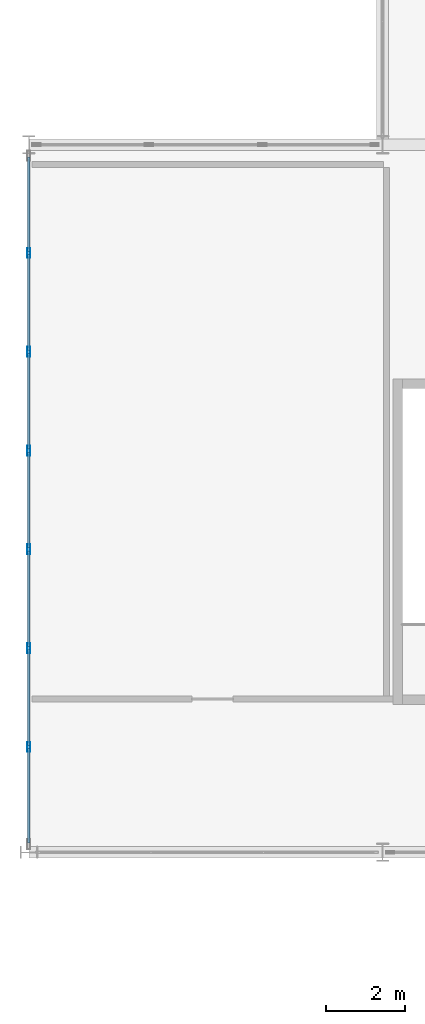
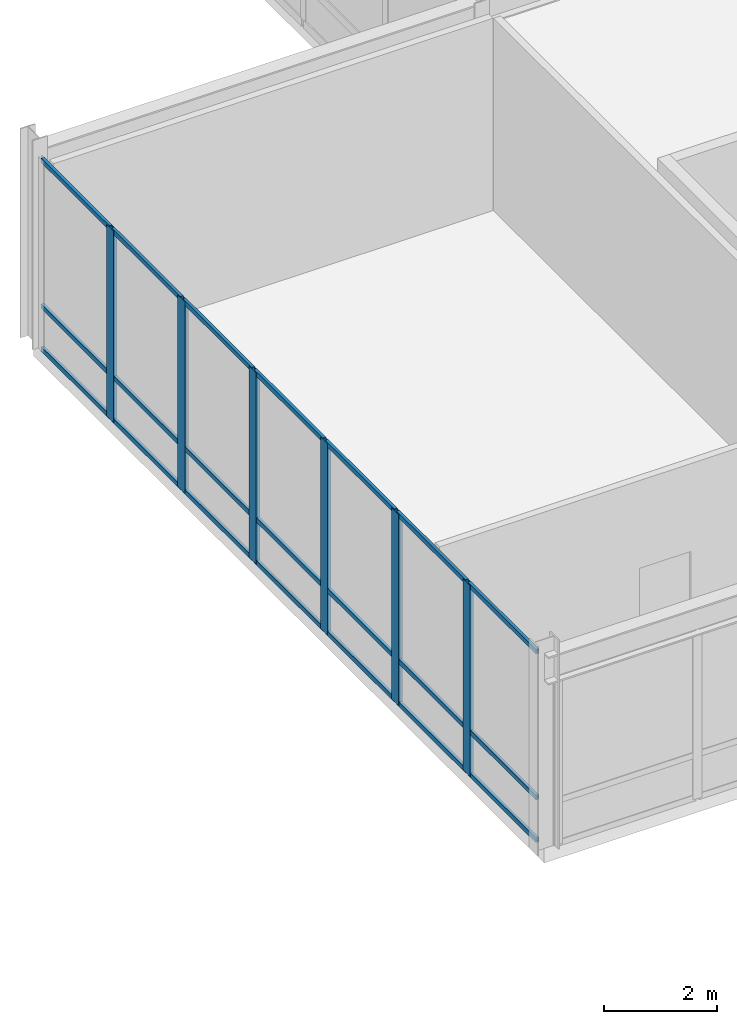
# One storey, part 55 of 115: 27 members, 1 element without a shape of its own.
"""IFC4 building model written with IfcOpenShell, lengths in metres."""

import ifcopenshell
import ifcopenshell.guid

model = None  # the IFC model being written
_history = None  # IfcOwnerHistory: only IFC2X3 demands one
_inside = {}  # id of a spatial element -> (the spatial element, [elements in it])
_under = {}  # id of a project, library or spatial element -> (it, [spatial elements below it])
_declared = {}  # id of a project -> (the project, [libraries it declares])
_typed = {}  # id of a type object -> (the type object, [elements of that type])
_made_of = {}  # id of a material, layer set ... -> (it, [elements and type objects made of it])


def new_model(schema):
    """Start an empty IFC model of exactly this schema.

    Asked for "IFC4X3", IfcOpenShell would pick the latest addendum, in which some entities
    have other attributes; the version numbers below select the first issue.
    IFC2X3 requires an IfcOwnerHistory on every rooted entity: one is made here for all.
    """
    global model, _history
    if schema == "IFC4X3":
        model = ifcopenshell.file(schema_version=(4, 3, 0, 0))
    else:
        model = ifcopenshell.file(schema=schema)
    _inside.clear()
    _under.clear()
    _declared.clear()
    _typed.clear()
    _made_of.clear()
    _history = None
    if model.schema == "IFC2X3":
        org = make("IfcOrganization", Name="unknown")
        user = make(
            "IfcPersonAndOrganization",
            ThePerson=make("IfcPerson", FamilyName="unknown"),
            TheOrganization=org,
        )
        app = make(
            "IfcApplication",
            ApplicationDeveloper=org,
            Version="unknown",
            ApplicationFullName="unknown",
            ApplicationIdentifier="unknown",
        )
        _history = make(
            "IfcOwnerHistory",
            OwningUser=user,
            OwningApplication=app,
            ChangeAction="ADDED",
            CreationDate=0,
        )
    return model


def make(cls, **values):
    """One entity of the class cls with the attributes given. An attribute that is None is left unset."""
    return model.create_entity(
        cls, **{name: value for name, value in values.items() if value is not None}
    )


def rooted(cls, **values):
    """An entity with a GlobalId (a new one), such as an element, a storey or a relation."""
    return make(cls, GlobalId=ifcopenshell.guid.new(), OwnerHistory=_history, **values)


def si_unit(unit_type, name, prefix=None):
    """IfcSIUnit, for example si_unit("LENGTHUNIT", "METRE", prefix="MILLI")."""
    return make("IfcSIUnit", UnitType=unit_type, Prefix=prefix, Name=name)


def assignment(units):
    """IfcUnitAssignment: the units of a project."""
    return None if units is None else make("IfcUnitAssignment", Units=units)


def point(xyz):
    """IfcCartesianPoint."""
    return None if xyz is None else make("IfcCartesianPoint", Coordinates=xyz)


def direction(xyz):
    """IfcDirection."""
    return None if xyz is None else make("IfcDirection", DirectionRatios=xyz)


def frame(location, z_axis=None, x_axis=None):
    """IfcAxis2Placement3D, a coordinate frame: its origin and axes. An axis left out is left unset."""
    return make(
        "IfcAxis2Placement3D",
        Location=point(location),
        Axis=direction(z_axis),
        RefDirection=direction(x_axis),
    )


def frame_2d(location, x_axis=None):
    """IfcAxis2Placement2D, a coordinate frame in the plane: its origin and x axis."""
    return make(
        "IfcAxis2Placement2D", Location=point(location), RefDirection=direction(x_axis)
    )


def origin():
    """The frame at (0, 0, 0) with its axes left unset."""
    return frame((0.0, 0.0, 0.0))


def origin_2d():
    """The frame at (0, 0) in the plane with its x axis left unset."""
    return frame_2d((0.0, 0.0))


def place(relative_to, where):
    """IfcLocalPlacement: puts the frame where relative to a parent placement (None: the world)."""
    return make(
        "IfcLocalPlacement", PlacementRelTo=relative_to, RelativePlacement=where
    )


def context(
    kind, dimensions, precision=None, world=None, true_north=None, identifier=None
):
    """IfcGeometricRepresentationContext, for example the 3D "Model" context."""
    return make(
        "IfcGeometricRepresentationContext",
        ContextIdentifier=identifier,
        ContextType=kind,
        CoordinateSpaceDimension=dimensions,
        Precision=precision,
        WorldCoordinateSystem=world,
        TrueNorth=true_north,
    )


def subcontext(parent, identifier, kind, view, scale=None):
    """IfcGeometricRepresentationSubContext, for example "Body" below "Model"."""
    return make(
        "IfcGeometricRepresentationSubContext",
        ContextIdentifier=identifier,
        ContextType=kind,
        ParentContext=parent,
        TargetScale=scale,
        TargetView=view,
    )


def project(units=None, contexts=None):
    """IfcProject with its units and contexts."""
    return rooted(
        "IfcProject",
        Name="project",
        RepresentationContexts=contexts,
        UnitsInContext=assignment(units),
    )


def spatial(cls, under=None, at=None, **own):
    """A site, building, storey or space (cls), placed at a placement, below another one or the project."""
    s = rooted(cls, ObjectPlacement=at, **own)
    if under is not None:
        _under.setdefault(under.id(), (under, []))[1].append(s)
    return s


def profile(cls, at=None, kind="AREA", **sizes):
    """A parametric profile (cls). Its sizes go by their IFC names, for example OverallWidth=200.0."""
    return make(cls, ProfileType=kind, Position=at, **sizes)


def hollow_rectangle(**sizes):
    """IfcRectangleHollowProfileDef."""
    return profile("IfcRectangleHollowProfileDef", **sizes)


def extrude(swept, where, along, depth):
    """IfcExtrudedAreaSolid: the profile swept, set in the frame where, extruded along a direction by depth."""
    return make(
        "IfcExtrudedAreaSolid",
        SweptArea=swept,
        Position=where,
        ExtrudedDirection=direction(along),
        Depth=depth,
    )


def shape(context_of_items, identifier, shape_type, items):
    """IfcShapeRepresentation: the items that make up one representation, for example the "Body"."""
    return make(
        "IfcShapeRepresentation",
        ContextOfItems=context_of_items,
        RepresentationIdentifier=identifier,
        RepresentationType=shape_type,
        Items=items,
    )


def material(Name=None, Category=None):
    """IfcMaterial."""
    return make("IfcMaterial", Name=Name, Category=Category)


def layer(
    of_material, thickness, ventilated=None, Name=None, Category=None, Priority=None
):
    """IfcMaterialLayer: one layer of a wall or slab, of a material (None: an air gap)."""
    return make(
        "IfcMaterialLayer",
        Material=of_material,
        LayerThickness=thickness,
        IsVentilated=ventilated,
        Name=Name,
        Category=Category,
        Priority=Priority,
    )


def layer_set(layers, Name=None):
    """IfcMaterialLayerSet."""
    return make("IfcMaterialLayerSet", MaterialLayers=layers, LayerSetName=Name)


def material_profile(
    of_material, cross_section, Name=None, Category=None, Priority=None
):
    """IfcMaterialProfile: a cross section and its material."""
    return make(
        "IfcMaterialProfile",
        Name=Name,
        Material=of_material,
        Profile=cross_section,
        Priority=Priority,
        Category=Category,
    )


def profile_set(profiles, Name=None, composite=None):
    """IfcMaterialProfileSet."""
    return make(
        "IfcMaterialProfileSet",
        Name=Name,
        MaterialProfiles=profiles,
        CompositeProfile=composite,
    )


def made_of(thing, what):
    """Note that an element or type object is made of a material, layer set ...; save() writes the relation."""
    if what is not None:
        _made_of.setdefault(what.id(), (what, []))[1].append(thing)
    return thing


def type_object(cls, material=None, **own):
    """A type object (cls), such as IfcWallType, which elements share."""
    return made_of(rooted(cls, **own), material)


def element(
    cls,
    number,
    at=None,
    inside=None,
    cuts=None,
    type_object=None,
    material=None,
    context=None,
    identifier="Body",
    shape_type=None,
    held_by="IfcProductDefinitionShape",
    body=None,
    shapes=None,
    **own,
):
    """One element of the class cls, such as IfcWall. Its Tag is "e" and its number.

    at: its placement. inside: the storey or other place that contains it. cuts: it is an
    opening in that element (IfcRelVoidsElement). A single representation is given by context,
    identifier, shape_type and body (its items); several are given by shapes. held_by: the class
    of the entity that holds the representations. save() writes the other relations.
    """
    e = rooted(cls, Tag="e%d" % number, ObjectPlacement=at, **own)
    if body is not None:
        shapes = [shape(context, identifier, shape_type, body)]
    if shapes is not None:
        e.Representation = make(held_by, Representations=shapes)
    if inside is not None:
        _inside.setdefault(inside.id(), (inside, []))[1].append(e)
    if cuts is not None:
        rooted(
            "IfcRelVoidsElement", RelatingBuildingElement=cuts, RelatedOpeningElement=e
        )
    if type_object is not None:
        _typed.setdefault(type_object.id(), (type_object, []))[1].append(e)
    return made_of(e, material)


def aggregate(whole, parts):
    """IfcRelAggregates: a whole, such as a stair, and the parts it consists of."""
    return rooted("IfcRelAggregates", RelatingObject=whole, RelatedObjects=parts)


def save(model, path):
    """Write the relations noted so far, then the file.

    IfcRelAggregates (storeys below a building ...), IfcRelContainedInSpatialStructure (elements
    in a storey), IfcRelDefinesByType, IfcRelAssociatesMaterial and IfcRelDeclares: one each for
    every whole, place, type object, material and project.
    """
    for whole, parts in _under.values():
        aggregate(whole, parts)
    for where, things in _inside.values():
        rooted(
            "IfcRelContainedInSpatialStructure",
            RelatedElements=things,
            RelatingStructure=where,
        )
    for kind, things in _typed.values():
        rooted("IfcRelDefinesByType", RelatedObjects=things, RelatingType=kind)
    for what, things in _made_of.values():
        rooted("IfcRelAssociatesMaterial", RelatedObjects=things, RelatingMaterial=what)
    for by, libraries in _declared.values():
        rooted("IfcRelDeclares", RelatingContext=by, RelatedDefinitions=libraries)
    model.write(path)


model = new_model("IFC4")

# Units and contexts
model_context = context("Model", 3, precision=1e-05, world=origin(), true_north=direction((0.0, 1.0)))
body_context = subcontext(model_context, "Body", "Model", "MODEL_VIEW")
ifc_project = project(units=[si_unit("LENGTHUNIT", "METRE"), si_unit("AREAUNIT", "SQUARE_METRE"), si_unit("VOLUMEUNIT", "CUBIC_METRE"), si_unit("PLANEANGLEUNIT", "RADIAN"), si_unit("MASSUNIT", "GRAM", prefix="KILO")], contexts=[model_context])

# Site, building, storey
site_placement = place(None, origin())
site = spatial("IfcSite", under=ifc_project, at=site_placement, CompositionType="ELEMENT")
building_placement = place(site_placement, origin())
building = spatial("IfcBuilding", under=site, at=building_placement, Name="Montelvaro Courts of Justice", CompositionType="ELEMENT")
storey_placement = place(building_placement, frame((0.0, 0.0, 9.89990234375)))
storey = spatial("IfcBuildingStorey", under=building, at=storey_placement, Name="L02", CompositionType="ELEMENT", Elevation=9.89990234375)

# Curtain wall, members
ifc_material = material(Name="Anodised aluminium EN AW-6063", Category="aluminium")
ifc_layer = layer(ifc_material, 0.159912109375)
ifc_layer_set = layer_set([ifc_layer], Name="Anodised aluminium EN AW-6063")
curtain_wall_type = type_object("IfcCurtainWallType", Name="CurtainWall_22_1761x418", PredefinedType="USERDEFINED", material=ifc_layer_set)
curtain_wall_placement = place(storey_placement, origin())
curtain_wall = element("IfcCurtainWall", 1, at=curtain_wall_placement, inside=storey, type_object=curtain_wall_type, Name="Curtain Wall CW-22 (L02)", ObjectType="CURTAIN WALL", PredefinedType="USERDEFINED")
ifc_material_profile_1 = material_profile(ifc_material, hollow_rectangle(XDim=0.074951171875, YDim=0.25, WallThickness=0.005615234375, at=origin_2d()), Name="ALU-M 75x250")
ifc_profile_set_1 = profile_set([ifc_material_profile_1], Name="Anodised aluminium EN AW-6063")
member_type_1 = type_object("IfcMemberType", Name="CurtainWall_Mullion_75x250", PredefinedType="MULLION", material=ifc_profile_set_1)
member_1_placement = place(storey_placement, frame((18.0, 93.246337890625, 0.0), z_axis=(0.0, 0.0, 1.0), x_axis=(1.0, 0.0, 0.0)))
member_1 = element("IfcMember", 2, at=member_1_placement, type_object=member_type_1, Name="CW-22 mullion 2", PredefinedType="MULLION", context=body_context, shape_type="SweptSolid", body=[
    extrude(hollow_rectangle(XDim=0.074951171875, YDim=0.25, WallThickness=0.005615234375, at=origin_2d()), origin(), (0.0, 0.0, 1.0), 4.1201171875),
])
member_2_placement = place(storey_placement, frame((18.0, 90.73291015625, 0.0), z_axis=(0.0, 0.0, 1.0), x_axis=(1.0, 0.0, 0.0)))
member_2 = element("IfcMember", 3, at=member_2_placement, type_object=member_type_1, Name="CW-22 mullion 3", PredefinedType="MULLION", context=body_context, shape_type="SweptSolid", body=[
    extrude(hollow_rectangle(XDim=0.074951171875, YDim=0.25, WallThickness=0.005615234375, at=origin_2d()), origin(), (0.0, 0.0, 1.0), 4.1201171875),
])
member_3_placement = place(storey_placement, frame((18.0, 88.21923828125, 0.0), z_axis=(0.0, 0.0, 1.0), x_axis=(1.0, 0.0, 0.0)))
member_3 = element("IfcMember", 4, at=member_3_placement, type_object=member_type_1, Name="CW-22 mullion 4", PredefinedType="MULLION", context=body_context, shape_type="SweptSolid", body=[
    extrude(hollow_rectangle(XDim=0.074951171875, YDim=0.25, WallThickness=0.005615234375, at=origin_2d()), origin(), (0.0, 0.0, 1.0), 4.1201171875),
])
member_4_placement = place(storey_placement, frame((18.0, 85.705810546875, 0.0), z_axis=(0.0, 0.0, 1.0), x_axis=(1.0, 0.0, 0.0)))
member_4 = element("IfcMember", 5, at=member_4_placement, type_object=member_type_1, Name="CW-22 mullion 5", PredefinedType="MULLION", context=body_context, shape_type="SweptSolid", body=[
    extrude(hollow_rectangle(XDim=0.074951171875, YDim=0.25, WallThickness=0.005615234375, at=origin_2d()), origin(), (0.0, 0.0, 1.0), 4.1201171875),
])
member_5_placement = place(storey_placement, frame((18.0, 83.192138671875, 0.0), z_axis=(0.0, 0.0, 1.0), x_axis=(1.0, 0.0, 0.0)))
member_5 = element("IfcMember", 6, at=member_5_placement, type_object=member_type_1, Name="CW-22 mullion 6", PredefinedType="MULLION", context=body_context, shape_type="SweptSolid", body=[
    extrude(hollow_rectangle(XDim=0.074951171875, YDim=0.25, WallThickness=0.005615234375, at=origin_2d()), origin(), (0.0, 0.0, 1.0), 4.1201171875),
])
member_6_placement = place(storey_placement, frame((18.0, 80.678466796875, 0.0), z_axis=(0.0, 0.0, 1.0), x_axis=(1.0, 0.0, 0.0)))
member_6 = element("IfcMember", 7, at=member_6_placement, type_object=member_type_1, Name="CW-22 mullion 7", PredefinedType="MULLION", context=body_context, shape_type="SweptSolid", body=[
    extrude(hollow_rectangle(XDim=0.074951171875, YDim=0.25, WallThickness=0.005615234375, at=origin_2d()), origin(), (0.0, 0.0, 1.0), 4.1201171875),
])
ifc_material_profile_2 = material_profile(ifc_material, hollow_rectangle(XDim=0.06005859375, YDim=0.10009765625, WallThickness=0.00341796875, at=origin_2d()), Name="ALU-T 60x100")
ifc_profile_set_2 = profile_set([ifc_material_profile_2], Name="Anodised aluminium EN AW-6063")
member_type_2 = type_object("IfcMemberType", Name="CurtainWall_Transom_60x100", PredefinedType="USERDEFINED", material=ifc_profile_set_2)
member_7_placement = place(storey_placement, frame((18.0, 95.68505859375, 0.030029296875), z_axis=(0.0, -1.0, 0.0), x_axis=(1.0, 0.0, 0.0)))
member_7 = element("IfcMember", 8, at=member_7_placement, type_object=member_type_2, Name="CW-22 transom 1.1", ObjectType="TRANSOM", PredefinedType="USERDEFINED", context=body_context, shape_type="SweptSolid", body=[
    extrude(hollow_rectangle(XDim=0.06005859375, YDim=0.10009765625, WallThickness=0.00341796875, at=origin_2d()), origin(), (0.0, 0.0, 1.0), 2.401123046875),
])
member_8_placement = place(storey_placement, frame((18.0, 95.68505859375, 0.9501953125), z_axis=(0.0, -1.0, 0.0), x_axis=(1.0, 0.0, 0.0)))
member_8 = element("IfcMember", 9, at=member_8_placement, type_object=member_type_2, Name="CW-22 transom 1.2", ObjectType="TRANSOM", PredefinedType="USERDEFINED", context=body_context, shape_type="SweptSolid", body=[
    extrude(hollow_rectangle(XDim=0.06005859375, YDim=0.10009765625, WallThickness=0.00341796875, at=origin_2d()), origin(), (0.0, 0.0, 1.0), 2.401123046875),
])
member_9_placement = place(storey_placement, frame((18.0, 95.68505859375, 4.090087890625), z_axis=(0.0, -1.0, 0.0), x_axis=(1.0, 0.0, 0.0)))
member_9 = element("IfcMember", 10, at=member_9_placement, type_object=member_type_2, Name="CW-22 transom 1.3", ObjectType="TRANSOM", PredefinedType="USERDEFINED", context=body_context, shape_type="SweptSolid", body=[
    extrude(hollow_rectangle(XDim=0.06005859375, YDim=0.10009765625, WallThickness=0.00341796875, at=origin_2d()), origin(), (0.0, 0.0, 1.0), 2.401123046875),
])
member_10_placement = place(storey_placement, frame((18.0, 93.208984375, 0.030029296875), z_axis=(0.0, -1.0, 0.0), x_axis=(1.0, 0.0, 0.0)))
member_10 = element("IfcMember", 11, at=member_10_placement, type_object=member_type_2, Name="CW-22 transom 2.1", ObjectType="TRANSOM", PredefinedType="USERDEFINED", context=body_context, shape_type="SweptSolid", body=[
    extrude(hollow_rectangle(XDim=0.06005859375, YDim=0.10009765625, WallThickness=0.00341796875, at=origin_2d()), origin(), (0.0, 0.0, 1.0), 2.438720703125),
])
member_11_placement = place(storey_placement, frame((18.0, 93.208984375, 0.9501953125), z_axis=(0.0, -1.0, 0.0), x_axis=(1.0, 0.0, 0.0)))
member_11 = element("IfcMember", 12, at=member_11_placement, type_object=member_type_2, Name="CW-22 transom 2.2", ObjectType="TRANSOM", PredefinedType="USERDEFINED", context=body_context, shape_type="SweptSolid", body=[
    extrude(hollow_rectangle(XDim=0.06005859375, YDim=0.10009765625, WallThickness=0.00341796875, at=origin_2d()), origin(), (0.0, 0.0, 1.0), 2.438720703125),
])
member_12_placement = place(storey_placement, frame((18.0, 93.208984375, 4.090087890625), z_axis=(0.0, -1.0, 0.0), x_axis=(1.0, 0.0, 0.0)))
member_12 = element("IfcMember", 13, at=member_12_placement, type_object=member_type_2, Name="CW-22 transom 2.3", ObjectType="TRANSOM", PredefinedType="USERDEFINED", context=body_context, shape_type="SweptSolid", body=[
    extrude(hollow_rectangle(XDim=0.06005859375, YDim=0.10009765625, WallThickness=0.00341796875, at=origin_2d()), origin(), (0.0, 0.0, 1.0), 2.438720703125),
])
member_13_placement = place(storey_placement, frame((18.0, 90.6953125, 0.030029296875), z_axis=(0.0, -1.0, 0.0), x_axis=(1.0, 0.0, 0.0)))
member_13 = element("IfcMember", 14, at=member_13_placement, type_object=member_type_2, Name="CW-22 transom 3.1", ObjectType="TRANSOM", PredefinedType="USERDEFINED", context=body_context, shape_type="SweptSolid", body=[
    extrude(hollow_rectangle(XDim=0.06005859375, YDim=0.10009765625, WallThickness=0.00341796875, at=origin_2d()), origin(), (0.0, 0.0, 1.0), 2.4384765625),
])
member_14_placement = place(storey_placement, frame((18.0, 90.6953125, 0.9501953125), z_axis=(0.0, -1.0, 0.0), x_axis=(1.0, 0.0, 0.0)))
member_14 = element("IfcMember", 15, at=member_14_placement, type_object=member_type_2, Name="CW-22 transom 3.2", ObjectType="TRANSOM", PredefinedType="USERDEFINED", context=body_context, shape_type="SweptSolid", body=[
    extrude(hollow_rectangle(XDim=0.06005859375, YDim=0.10009765625, WallThickness=0.00341796875, at=origin_2d()), origin(), (0.0, 0.0, 1.0), 2.4384765625),
])
member_15_placement = place(storey_placement, frame((18.0, 90.6953125, 4.090087890625), z_axis=(0.0, -1.0, 0.0), x_axis=(1.0, 0.0, 0.0)))
member_15 = element("IfcMember", 16, at=member_15_placement, type_object=member_type_2, Name="CW-22 transom 3.3", ObjectType="TRANSOM", PredefinedType="USERDEFINED", context=body_context, shape_type="SweptSolid", body=[
    extrude(hollow_rectangle(XDim=0.06005859375, YDim=0.10009765625, WallThickness=0.00341796875, at=origin_2d()), origin(), (0.0, 0.0, 1.0), 2.4384765625),
])
member_16_placement = place(storey_placement, frame((18.0, 88.181884765625, 0.030029296875), z_axis=(0.0, -1.0, 0.0), x_axis=(1.0, 0.0, 0.0)))
member_16 = element("IfcMember", 17, at=member_16_placement, type_object=member_type_2, Name="CW-22 transom 4.1", ObjectType="TRANSOM", PredefinedType="USERDEFINED", context=body_context, shape_type="SweptSolid", body=[
    extrude(hollow_rectangle(XDim=0.06005859375, YDim=0.10009765625, WallThickness=0.00341796875, at=origin_2d()), origin(), (0.0, 0.0, 1.0), 2.438720703125),
])
member_17_placement = place(storey_placement, frame((18.0, 88.181884765625, 0.9501953125), z_axis=(0.0, -1.0, 0.0), x_axis=(1.0, 0.0, 0.0)))
member_17 = element("IfcMember", 18, at=member_17_placement, type_object=member_type_2, Name="CW-22 transom 4.2", ObjectType="TRANSOM", PredefinedType="USERDEFINED", context=body_context, shape_type="SweptSolid", body=[
    extrude(hollow_rectangle(XDim=0.06005859375, YDim=0.10009765625, WallThickness=0.00341796875, at=origin_2d()), origin(), (0.0, 0.0, 1.0), 2.438720703125),
])
member_18_placement = place(storey_placement, frame((18.0, 88.181884765625, 4.090087890625), z_axis=(0.0, -1.0, 0.0), x_axis=(1.0, 0.0, 0.0)))
member_18 = element("IfcMember", 19, at=member_18_placement, type_object=member_type_2, Name="CW-22 transom 4.3", ObjectType="TRANSOM", PredefinedType="USERDEFINED", context=body_context, shape_type="SweptSolid", body=[
    extrude(hollow_rectangle(XDim=0.06005859375, YDim=0.10009765625, WallThickness=0.00341796875, at=origin_2d()), origin(), (0.0, 0.0, 1.0), 2.438720703125),
])
member_19_placement = place(storey_placement, frame((18.0, 85.668212890625, 0.030029296875), z_axis=(0.0, -1.0, 0.0), x_axis=(1.0, 0.0, 0.0)))
member_19 = element("IfcMember", 20, at=member_19_placement, type_object=member_type_2, Name="CW-22 transom 5.1", ObjectType="TRANSOM", PredefinedType="USERDEFINED", context=body_context, shape_type="SweptSolid", body=[
    extrude(hollow_rectangle(XDim=0.06005859375, YDim=0.10009765625, WallThickness=0.00341796875, at=origin_2d()), origin(), (0.0, 0.0, 1.0), 2.4384765625),
])
member_20_placement = place(storey_placement, frame((18.0, 85.668212890625, 0.9501953125), z_axis=(0.0, -1.0, 0.0), x_axis=(1.0, 0.0, 0.0)))
member_20 = element("IfcMember", 21, at=member_20_placement, type_object=member_type_2, Name="CW-22 transom 5.2", ObjectType="TRANSOM", PredefinedType="USERDEFINED", context=body_context, shape_type="SweptSolid", body=[
    extrude(hollow_rectangle(XDim=0.06005859375, YDim=0.10009765625, WallThickness=0.00341796875, at=origin_2d()), origin(), (0.0, 0.0, 1.0), 2.4384765625),
])
member_21_placement = place(storey_placement, frame((18.0, 85.668212890625, 4.090087890625), z_axis=(0.0, -1.0, 0.0), x_axis=(1.0, 0.0, 0.0)))
member_21 = element("IfcMember", 22, at=member_21_placement, type_object=member_type_2, Name="CW-22 transom 5.3", ObjectType="TRANSOM", PredefinedType="USERDEFINED", context=body_context, shape_type="SweptSolid", body=[
    extrude(hollow_rectangle(XDim=0.06005859375, YDim=0.10009765625, WallThickness=0.00341796875, at=origin_2d()), origin(), (0.0, 0.0, 1.0), 2.4384765625),
])
member_22_placement = place(storey_placement, frame((18.0, 83.154541015625, 0.030029296875), z_axis=(0.0, -1.0, 0.0), x_axis=(1.0, 0.0, 0.0)))
member_22 = element("IfcMember", 23, at=member_22_placement, type_object=member_type_2, Name="CW-22 transom 6.1", ObjectType="TRANSOM", PredefinedType="USERDEFINED", context=body_context, shape_type="SweptSolid", body=[
    extrude(hollow_rectangle(XDim=0.06005859375, YDim=0.10009765625, WallThickness=0.00341796875, at=origin_2d()), origin(), (0.0, 0.0, 1.0), 2.4384765625),
])
member_23_placement = place(storey_placement, frame((18.0, 83.154541015625, 0.9501953125), z_axis=(0.0, -1.0, 0.0), x_axis=(1.0, 0.0, 0.0)))
member_23 = element("IfcMember", 24, at=member_23_placement, type_object=member_type_2, Name="CW-22 transom 6.2", ObjectType="TRANSOM", PredefinedType="USERDEFINED", context=body_context, shape_type="SweptSolid", body=[
    extrude(hollow_rectangle(XDim=0.06005859375, YDim=0.10009765625, WallThickness=0.00341796875, at=origin_2d()), origin(), (0.0, 0.0, 1.0), 2.4384765625),
])
member_24_placement = place(storey_placement, frame((18.0, 83.154541015625, 4.090087890625), z_axis=(0.0, -1.0, 0.0), x_axis=(1.0, 0.0, 0.0)))
member_24 = element("IfcMember", 25, at=member_24_placement, type_object=member_type_2, Name="CW-22 transom 6.3", ObjectType="TRANSOM", PredefinedType="USERDEFINED", context=body_context, shape_type="SweptSolid", body=[
    extrude(hollow_rectangle(XDim=0.06005859375, YDim=0.10009765625, WallThickness=0.00341796875, at=origin_2d()), origin(), (0.0, 0.0, 1.0), 2.4384765625),
])
member_25_placement = place(storey_placement, frame((18.0, 80.64111328125, 0.030029296875), z_axis=(0.0, -1.0, 0.0), x_axis=(1.0, 0.0, 0.0)))
member_25 = element("IfcMember", 26, at=member_25_placement, type_object=member_type_2, Name="CW-22 transom 7.1", ObjectType="TRANSOM", PredefinedType="USERDEFINED", context=body_context, shape_type="SweptSolid", body=[
    extrude(hollow_rectangle(XDim=0.06005859375, YDim=0.10009765625, WallThickness=0.00341796875, at=origin_2d()), origin(), (0.0, 0.0, 1.0), 2.401123046875),
])
member_26_placement = place(storey_placement, frame((18.0, 80.64111328125, 0.9501953125), z_axis=(0.0, -1.0, 0.0), x_axis=(1.0, 0.0, 0.0)))
member_26 = element("IfcMember", 27, at=member_26_placement, type_object=member_type_2, Name="CW-22 transom 7.2", ObjectType="TRANSOM", PredefinedType="USERDEFINED", context=body_context, shape_type="SweptSolid", body=[
    extrude(hollow_rectangle(XDim=0.06005859375, YDim=0.10009765625, WallThickness=0.00341796875, at=origin_2d()), origin(), (0.0, 0.0, 1.0), 2.401123046875),
])
member_27_placement = place(storey_placement, frame((18.0, 80.64111328125, 4.090087890625), z_axis=(0.0, -1.0, 0.0), x_axis=(1.0, 0.0, 0.0)))
member_27 = element("IfcMember", 28, at=member_27_placement, type_object=member_type_2, Name="CW-22 transom 7.3", ObjectType="TRANSOM", PredefinedType="USERDEFINED", context=body_context, shape_type="SweptSolid", body=[
    extrude(hollow_rectangle(XDim=0.06005859375, YDim=0.10009765625, WallThickness=0.00341796875, at=origin_2d()), origin(), (0.0, 0.0, 1.0), 2.401123046875),
])
aggregate(curtain_wall, [member_1, member_2, member_3, member_4, member_5, member_6, member_7, member_8, member_9, member_10, member_11, member_12, member_13, member_14, member_15, member_16, member_17, member_18, member_19, member_20, member_21, member_22, member_23, member_24, member_25, member_26, member_27])

save(model, "model.ifc")
